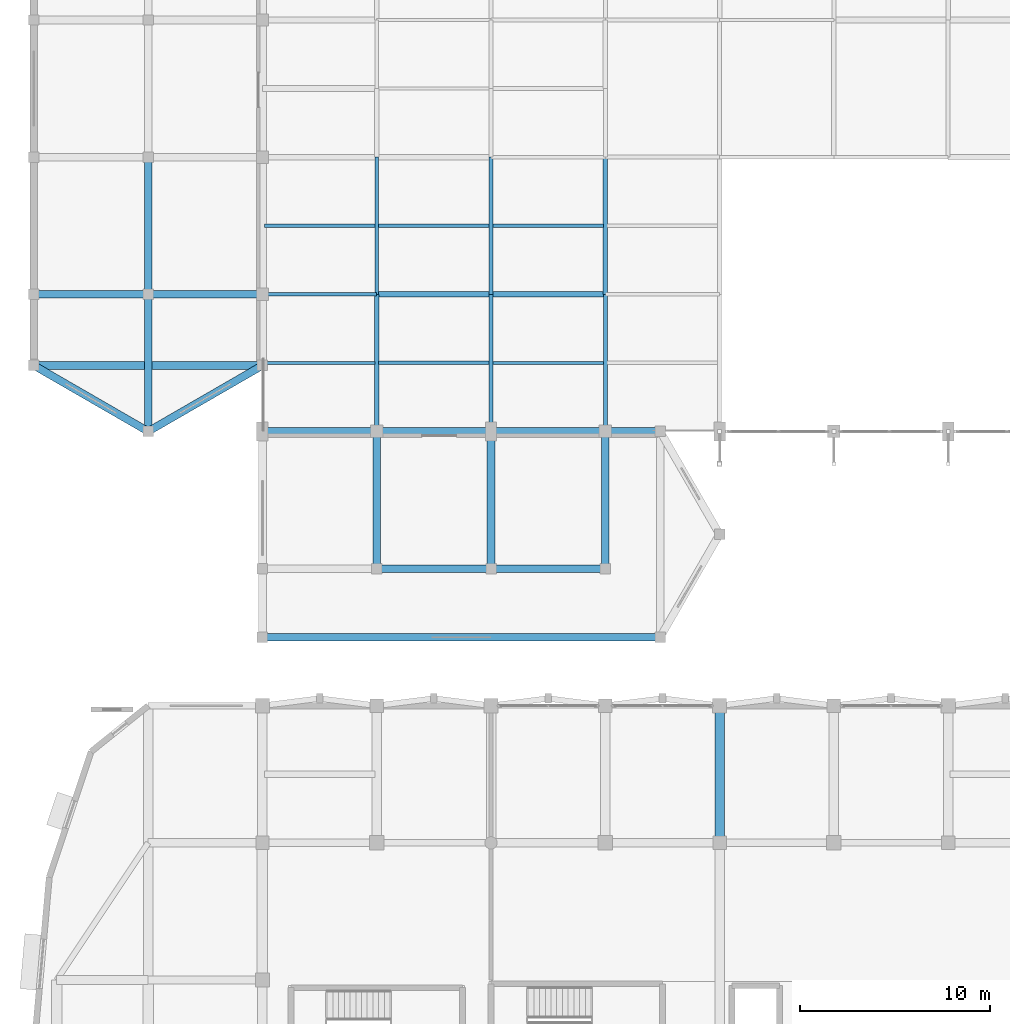
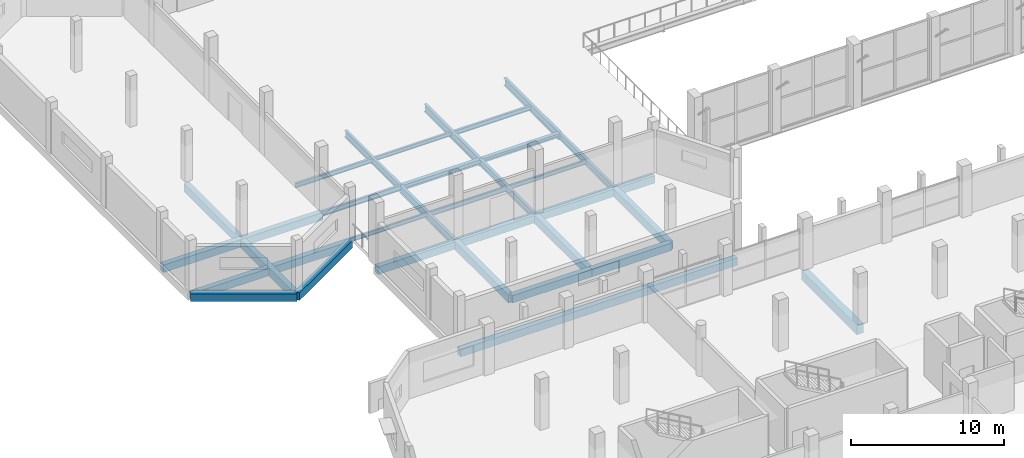
# One storey, part 14 of 127: 30 beams.
"""IFC4 building model written with IfcOpenShell, lengths in metres."""

from ifc_helpers import new_model, si_unit, direction, frame, origin, origin_2d, place, context, subcontext, project, spatial, rectangle, i_section, extrude, material, material_profile, profile_set, type_object, element, save


model = new_model("IFC4")

# Units and contexts
model_context = context("Model", 3, precision=1e-05, world=origin(), true_north=direction((0.0, 1.0)))
body_context = subcontext(model_context, "Body", "Model", "MODEL_VIEW")
ifc_project = project(units=[si_unit("LENGTHUNIT", "METRE"), si_unit("AREAUNIT", "SQUARE_METRE"), si_unit("VOLUMEUNIT", "CUBIC_METRE"), si_unit("PLANEANGLEUNIT", "RADIAN"), si_unit("MASSUNIT", "GRAM", prefix="KILO")], contexts=[model_context])

# Site, building, storey
site_placement = place(None, origin())
site = spatial("IfcSite", under=ifc_project, at=site_placement, CompositionType="ELEMENT")
building_placement = place(site_placement, origin())
building = spatial("IfcBuilding", under=site, at=building_placement, Name="Dunvalen Ferry Terminal", CompositionType="ELEMENT")
storey_placement = place(building_placement, frame((0.0, 0.0, 5.760009765625)))
storey = spatial("IfcBuildingStorey", under=building, at=storey_placement, Name="L01", CompositionType="ELEMENT", Elevation=5.760009765625)

# Beams
ifc_material_1 = material(Name="Steel S355", Category="steel")
ifc_material_profile_1 = material_profile(ifc_material_1, i_section(OverallWidth=0.300048828125, OverallDepth=0.31005859375, WebThickness=0.009033203125, FlangeThickness=0.015380859375, FilletRadius=0.027099609375, at=origin_2d()), Name="Steel S355")
ifc_profile_set_1 = profile_set([ifc_material_profile_1], Name="Steel S355")
beam_type_1 = type_object("IfcBeamType", Name="STR-BM-HEA320", PredefinedType="SPANDREL", material=ifc_profile_set_1)
beam_1_placement = place(storey_placement, frame((24.0, 57.60009765625, -0.43505859375), z_axis=(1.0, 0.0, 0.0), x_axis=(0.0, 1.0, 0.0)))
element("IfcBeam", 1, at=beam_1_placement, inside=storey, type_object=beam_type_1, Name="L01 V1M Primary Beam X-010", PredefinedType="SPANDREL", context=body_context, shape_type="SweptSolid", body=[
    extrude(i_section(OverallWidth=0.300048828125, OverallDepth=0.31005859375, WebThickness=0.009033203125, FlangeThickness=0.015380859375, FilletRadius=0.027099609375, at=origin_2d()), origin(), (0.0, 0.0, 1.0), 6.0),
])
ifc_material_profile_2 = material_profile(ifc_material_1, i_section(OverallWidth=0.300048828125, OverallDepth=0.389892578125, WebThickness=0.010986328125, FlangeThickness=0.01904296875, FilletRadius=0.027099609375, at=origin_2d()), Name="Steel S355")
ifc_profile_set_2 = profile_set([ifc_material_profile_2], Name="Steel S355")
beam_type_2 = type_object("IfcBeamType", Name="STR-BM-HEA400", PredefinedType="BEAM", material=ifc_profile_set_2)
beam_2_placement = place(storey_placement, frame((18.0, 57.60009765625, -0.47509765625), z_axis=(1.0, 0.0, 0.0), x_axis=(0.0, 1.0, 0.0)))
element("IfcBeam", 2, at=beam_2_placement, inside=storey, type_object=beam_type_2, Name="L01 V1M Primary Beam X-009", PredefinedType="BEAM", context=body_context, shape_type="SweptSolid", body=[
    extrude(i_section(OverallWidth=0.300048828125, OverallDepth=0.389892578125, WebThickness=0.010986328125, FlangeThickness=0.01904296875, FilletRadius=0.027099609375, at=origin_2d()), origin(), (0.0, 0.0, 1.0), 6.0),
])
ifc_material_2 = material(Name="Concrete C35/45", Category="concrete")
ifc_material_profile_3 = material_profile(ifc_material_2, rectangle(XDim=0.39990234375, YDim=0.60009765625, at=origin_2d()), Name="Concrete C35/45")
ifc_profile_set_3 = profile_set([ifc_material_profile_3], Name="Concrete C35/45")
beam_type_3 = type_object("IfcBeamType", Name="STR-BM-RCB600", PredefinedType="BEAM", material=ifc_profile_set_3)
for number, where, z_axis, x_axis, name in (
    (3, (6.0, 50.39990234375, -0.580078125), (0.866024796723, 0.500001051461, 0.0), (-0.500001051461, 0.866024796723, 0.0), "L01 West Baggage Annex Ring Beam 01"),
    (4, (0.0, 53.864013671875, -0.580078125), (0.866024796723, -0.500001051461, 0.0), (0.500001051461, 0.866024796723, 0.0), "L01 West Baggage Annex Ring Beam 06"),
):
    element("IfcBeam", number, at=place(storey_placement, frame(where, z_axis=z_axis, x_axis=x_axis)), inside=storey, type_object=beam_type_3, Name=name, PredefinedType="BEAM", context=body_context, shape_type="SweptSolid", body=[
        extrude(rectangle(XDim=0.39990234375, YDim=0.60009765625, at=origin_2d()), origin(), (0.0, 0.0, 1.0), 6.92822265625),
    ])
beam_3_placement = place(storey_placement, frame((0.0, 53.864013671875, -0.580078125), z_axis=(1.0, 0.0, 0.0), x_axis=(0.0, 1.0, 0.0)))
element("IfcBeam", 5, at=beam_3_placement, inside=storey, type_object=beam_type_3, Name="L01 V1AW Primary Beam X-001", PredefinedType="BEAM", context=body_context, shape_type="SweptSolid", body=[
    extrude(rectangle(XDim=0.39990234375, YDim=0.60009765625, at=origin_2d()), origin(), (0.0, 0.0, 1.0), 12.0),
])
for number, where, z_axis, x_axis, name in (
    (6, (0.0, 57.60009765625, -0.580078125), (1.0, 0.0, 0.0), (0.0, 1.0, 0.0), "L01 V1AW Primary Beam X-002"),
    (7, (6.0, 57.60009765625, -0.580078125), (1.0, 0.0, 0.0), (0.0, 1.0, 0.0), "L01 V1AW Primary Beam X-003"),
):
    element("IfcBeam", number, at=place(storey_placement, frame(where, z_axis=z_axis, x_axis=x_axis)), inside=storey, type_object=beam_type_3, Name=name, PredefinedType="BEAM", context=body_context, shape_type="SweptSolid", body=[
        extrude(rectangle(XDim=0.39990234375, YDim=0.60009765625, at=origin_2d()), origin(), (0.0, 0.0, 1.0), 6.0),
    ])
for number, where, z_axis, x_axis, name in (
    (8, (12.0, 39.60009765625, -0.580078125), (1.0, 0.0, 0.0), (0.0, 1.0, 0.0), "L01 South-West Security Annex Ring Beam 01"),
    (9, (32.882080078125, 50.39990234375, -0.580078125), (-1.0, 0.0, 0.0), (0.0, -1.0, 0.0), "L01 South-West Security Annex Ring Beam 04"),
):
    element("IfcBeam", number, at=place(storey_placement, frame(where, z_axis=z_axis, x_axis=x_axis)), inside=storey, type_object=beam_type_3, Name=name, PredefinedType="BEAM", context=body_context, shape_type="SweptSolid", body=[
        extrude(rectangle(XDim=0.39990234375, YDim=0.60009765625, at=origin_2d()), origin(), (0.0, 0.0, 1.0), 20.882080078125),
    ])
for number, where, z_axis, x_axis, name in (
    (10, (18.0, 43.199951171875, -0.580078125), (1.0, 0.0, 0.0), (0.0, 1.0, 0.0), "L01 V1ASW Primary Beam X-002"),
    (11, (24.0, 43.199951171875, -0.580078125), (1.0, 0.0, 0.0), (0.0, 1.0, 0.0), "L01 V1ASW Primary Beam X-003"),
):
    element("IfcBeam", number, at=place(storey_placement, frame(where, z_axis=z_axis, x_axis=x_axis)), inside=storey, type_object=beam_type_3, Name=name, PredefinedType="BEAM", context=body_context, shape_type="SweptSolid", body=[
        extrude(rectangle(XDim=0.39990234375, YDim=0.60009765625, at=origin_2d()), origin(), (0.0, 0.0, 1.0), 6.0),
    ])
ifc_material_3 = material(Name="Concrete C40/50", Category="concrete")
ifc_material_profile_4 = material_profile(ifc_material_3, rectangle(XDim=0.39990234375, YDim=0.64990234375, at=origin_2d()), Name="Concrete C40/50")
ifc_profile_set_4 = profile_set([ifc_material_profile_4], Name="Concrete C40/50")
beam_type_4 = type_object("IfcBeamType", Name="STR-BM-RCB650", PredefinedType="BEAM", material=ifc_profile_set_4)
beam_4_placement = place(storey_placement, frame((6.0, 50.39990234375, -0.60498046875), z_axis=(0.0, 1.0, 0.0), x_axis=(-1.0, 0.0, 0.0)))
element("IfcBeam", 12, at=beam_4_placement, inside=storey, type_object=beam_type_4, Name="L01 V1AW Primary Girder Y-016", PredefinedType="BEAM", context=body_context, shape_type="SweptSolid", body=[
    extrude(rectangle(XDim=0.39990234375, YDim=0.64990234375, at=origin_2d()), origin(), (0.0, 0.0, 1.0), 7.2001953125),
])
for number, where, z_axis, x_axis, name in (
    (13, (6.0, 57.60009765625, -0.60498046875), (0.0, 1.0, 0.0), (-1.0, 0.0, 0.0), "L01 V1AW Primary Girder Y-017"),
    (14, (18.0, 43.199951171875, -0.60498046875), (0.0, 1.0, 0.0), (-1.0, 0.0, 0.0), "L01 V1ASW Primary Girder Y-010"),
    (15, (24.0, 43.199951171875, -0.60498046875), (0.0, 1.0, 0.0), (-1.0, 0.0, 0.0), "L01 V1ASW Primary Girder Y-011"),
    (16, (30.0, 43.199951171875, -0.60498046875), (0.0, 1.0, 0.0), (-1.0, 0.0, 0.0), "L01 V1ASW Primary Girder Y-012"),
):
    element("IfcBeam", number, at=place(storey_placement, frame(where, z_axis=z_axis, x_axis=x_axis)), inside=storey, type_object=beam_type_4, Name=name, PredefinedType="BEAM", context=body_context, shape_type="SweptSolid", body=[
        extrude(rectangle(XDim=0.39990234375, YDim=0.64990234375, at=origin_2d()), origin(), (0.0, 0.0, 1.0), 7.199951171875),
    ])
ifc_material_profile_5 = material_profile(ifc_material_3, rectangle(XDim=0.5, YDim=0.75, at=origin_2d()), Name="Concrete C40/50")
ifc_profile_set_5 = profile_set([ifc_material_profile_5], Name="Concrete C40/50")
beam_type_5 = type_object("IfcBeamType", Name="STR-BM-RCB750", PredefinedType="BEAM", material=ifc_profile_set_5)
beam_5_placement = place(storey_placement, frame((36.0, 28.800048828125, -0.635009765625), z_axis=(0.0, 1.0, 0.0), x_axis=(-1.0, 0.0, 0.0)))
element("IfcBeam", 17, at=beam_5_placement, inside=storey, type_object=beam_type_5, Name="L01 V5P0 Primary Girder Y-104", PredefinedType="BEAM", context=body_context, shape_type="SweptSolid", body=[
    extrude(rectangle(XDim=0.5, YDim=0.75, at=origin_2d()), origin(), (0.0, 0.0, 1.0), 7.199951171875),
])
ifc_material_profile_6 = material_profile(ifc_material_1, i_section(OverallWidth=0.1650390625, OverallDepth=0.303466796875, WebThickness=0.006103515625, FlangeThickness=0.01025390625, FilletRadius=0.0087890625, at=origin_2d()), Name="Steel S355")
ifc_profile_set_6 = profile_set([ifc_material_profile_6], Name="Steel S355")
beam_type_6 = type_object("IfcBeamType", Name="STR-BM-UKB305", PredefinedType="JOIST", material=ifc_profile_set_6)
for number, where, z_axis, x_axis, name in (
    (18, (12.10009765625, 54.0, -0.431640625), (1.0, 0.0, 0.0), (0.0, 1.0, 0.0), "L01 V1M Secondary Joist 001"),
    (19, (18.10009765625, 61.199951171875, -0.431640625), (1.0, 0.0, 0.0), (0.0, 1.0, 0.0), "L01 V1M Secondary Joist 005"),
    (20, (24.10009765625, 54.0, -0.431640625), (1.0, 0.0, 0.0), (0.0, 1.0, 0.0), "L01 V1M Secondary Joist 007"),
):
    element("IfcBeam", number, at=place(storey_placement, frame(where, z_axis=z_axis, x_axis=x_axis)), inside=storey, type_object=beam_type_6, Name=name, PredefinedType="JOIST", context=body_context, shape_type="SweptSolid", body=[
        extrude(i_section(OverallWidth=0.1650390625, OverallDepth=0.303466796875, WebThickness=0.006103515625, FlangeThickness=0.01025390625, FilletRadius=0.0087890625, at=origin_2d()), origin(), (0.0, 0.0, 1.0), 5.7998046875),
    ])
ifc_material_profile_7 = material_profile(ifc_material_1, i_section(OverallWidth=0.17138671875, OverallDepth=0.35498046875, WebThickness=0.00732421875, FlangeThickness=0.011474609375, FilletRadius=0.01025390625, at=origin_2d()), Name="Steel S355")
ifc_profile_set_7 = profile_set([ifc_material_profile_7], Name="Steel S355")
beam_type_7 = type_object("IfcBeamType", Name="STR-BM-UKB356", PredefinedType="JOIST", material=ifc_profile_set_7)
for number, where, z_axis, x_axis, name in (
    (21, (12.10009765625, 61.199951171875, -0.45751953125), (1.0, 0.0, 0.0), (0.0, 1.0, 0.0), "L01 V1M Secondary Joist 002"),
    (22, (18.10009765625, 54.0, -0.45751953125), (1.0, 0.0, 0.0), (0.0, 1.0, 0.0), "L01 V1M Secondary Joist 004"),
    (23, (24.10009765625, 61.199951171875, -0.45751953125), (1.0, 0.0, 0.0), (0.0, 1.0, 0.0), "L01 V1M Secondary Joist 008"),
):
    element("IfcBeam", number, at=place(storey_placement, frame(where, z_axis=z_axis, x_axis=x_axis)), inside=storey, type_object=beam_type_7, Name=name, PredefinedType="JOIST", context=body_context, shape_type="SweptSolid", body=[
        extrude(i_section(OverallWidth=0.17138671875, OverallDepth=0.35498046875, WebThickness=0.00732421875, FlangeThickness=0.011474609375, FilletRadius=0.01025390625, at=origin_2d()), origin(), (0.0, 0.0, 1.0), 5.7998046875),
    ])
ifc_material_profile_8 = material_profile(ifc_material_1, i_section(OverallWidth=0.177978515625, OverallDepth=0.406494140625, WebThickness=0.0078125, FlangeThickness=0.0126953125, FilletRadius=0.01025390625, at=origin_2d()), Name="Steel S355")
ifc_profile_set_8 = profile_set([ifc_material_profile_8], Name="Steel S355")
beam_type_8 = type_object("IfcBeamType", Name="STR-BM-UKB406", PredefinedType="JOIST", material=ifc_profile_set_8)
beam_6_placement = place(storey_placement, frame((12.0, 57.60009765625, -0.483154296875), z_axis=(1.0, 0.0, 0.0), x_axis=(0.0, 1.0, 0.0)))
element("IfcBeam", 24, at=beam_6_placement, inside=storey, type_object=beam_type_8, Name="L01 V1M Primary Beam X-008", PredefinedType="JOIST", context=body_context, shape_type="SweptSolid", body=[
    extrude(i_section(OverallWidth=0.177978515625, OverallDepth=0.406494140625, WebThickness=0.0078125, FlangeThickness=0.0126953125, FilletRadius=0.01025390625, at=origin_2d()), origin(), (0.0, 0.0, 1.0), 6.0),
])
ifc_material_profile_9 = material_profile(ifc_material_1, i_section(OverallWidth=0.209228515625, OverallDepth=0.533203125, WebThickness=0.010009765625, FlangeThickness=0.015625, FilletRadius=0.0126953125, at=origin_2d()), Name="Steel S355")
ifc_profile_set_9 = profile_set([ifc_material_profile_9], Name="Steel S355")
beam_type_9 = type_object("IfcBeamType", Name="STR-BM-UKB533", PredefinedType="BEAM", material=ifc_profile_set_9)
beam_7_placement = place(storey_placement, frame((18.0, 57.60009765625, -0.546630859375), z_axis=(0.0, 1.0, 0.0), x_axis=(-1.0, 0.0, 0.0)))
element("IfcBeam", 25, at=beam_7_placement, inside=storey, type_object=beam_type_9, Name="L01 V1M Primary Girder Y-083", PredefinedType="BEAM", context=body_context, shape_type="SweptSolid", body=[
    extrude(i_section(OverallWidth=0.209228515625, OverallDepth=0.533203125, WebThickness=0.010009765625, FlangeThickness=0.015625, FilletRadius=0.0126953125, at=origin_2d()), origin(), (0.0, 0.0, 1.0), 7.199951171875),
])
for number, where, z_axis, x_axis, name in (
    (26, (24.0, 50.39990234375, -0.546630859375), (0.0, 1.0, 0.0), (-1.0, 0.0, 0.0), "L01 V1M Primary Girder Y-087"),
    (27, (30.0, 50.39990234375, -0.546630859375), (0.0, 1.0, 0.0), (-1.0, 0.0, 0.0), "L01 V1M Primary Girder Y-093"),
):
    element("IfcBeam", number, at=place(storey_placement, frame(where, z_axis=z_axis, x_axis=x_axis)), inside=storey, type_object=beam_type_9, Name=name, PredefinedType="BEAM", context=body_context, shape_type="SweptSolid", body=[
        extrude(i_section(OverallWidth=0.209228515625, OverallDepth=0.533203125, WebThickness=0.010009765625, FlangeThickness=0.015625, FilletRadius=0.0126953125, at=origin_2d()), origin(), (0.0, 0.0, 1.0), 7.2001953125),
    ])
ifc_material_profile_10 = material_profile(ifc_material_1, i_section(OverallWidth=0.228271484375, OverallDepth=0.607666015625, WebThickness=0.010986328125, FlangeThickness=0.017333984375, FilletRadius=0.0126953125, at=origin_2d()), Name="Steel S355")
ifc_profile_set_10 = profile_set([ifc_material_profile_10], Name="Steel S355")
beam_type_10 = type_object("IfcBeamType", Name="STR-BM-UKB610", PredefinedType="BEAM", material=ifc_profile_set_10)
beam_8_placement = place(storey_placement, frame((18.0, 50.39990234375, -0.583740234375), z_axis=(0.0, 1.0, 0.0), x_axis=(-1.0, 0.0, 0.0)))
element("IfcBeam", 28, at=beam_8_placement, inside=storey, type_object=beam_type_10, Name="L01 V1M Primary Girder Y-082", PredefinedType="BEAM", context=body_context, shape_type="SweptSolid", body=[
    extrude(i_section(OverallWidth=0.228271484375, OverallDepth=0.607666015625, WebThickness=0.010986328125, FlangeThickness=0.017333984375, FilletRadius=0.0126953125, at=origin_2d()), origin(), (0.0, 0.0, 1.0), 7.2001953125),
])
for number, where, z_axis, x_axis, name in (
    (29, (24.0, 57.60009765625, -0.583740234375), (0.0, 1.0, 0.0), (-1.0, 0.0, 0.0), "L01 V1M Primary Girder Y-088"),
    (30, (30.0, 57.60009765625, -0.583740234375), (0.0, 1.0, 0.0), (-1.0, 0.0, 0.0), "L01 V1M Primary Girder Y-094"),
):
    element("IfcBeam", number, at=place(storey_placement, frame(where, z_axis=z_axis, x_axis=x_axis)), inside=storey, type_object=beam_type_10, Name=name, PredefinedType="BEAM", context=body_context, shape_type="SweptSolid", body=[
        extrude(i_section(OverallWidth=0.228271484375, OverallDepth=0.607666015625, WebThickness=0.010986328125, FlangeThickness=0.017333984375, FilletRadius=0.0126953125, at=origin_2d()), origin(), (0.0, 0.0, 1.0), 7.199951171875),
    ])

save(model, "model.ifc")
